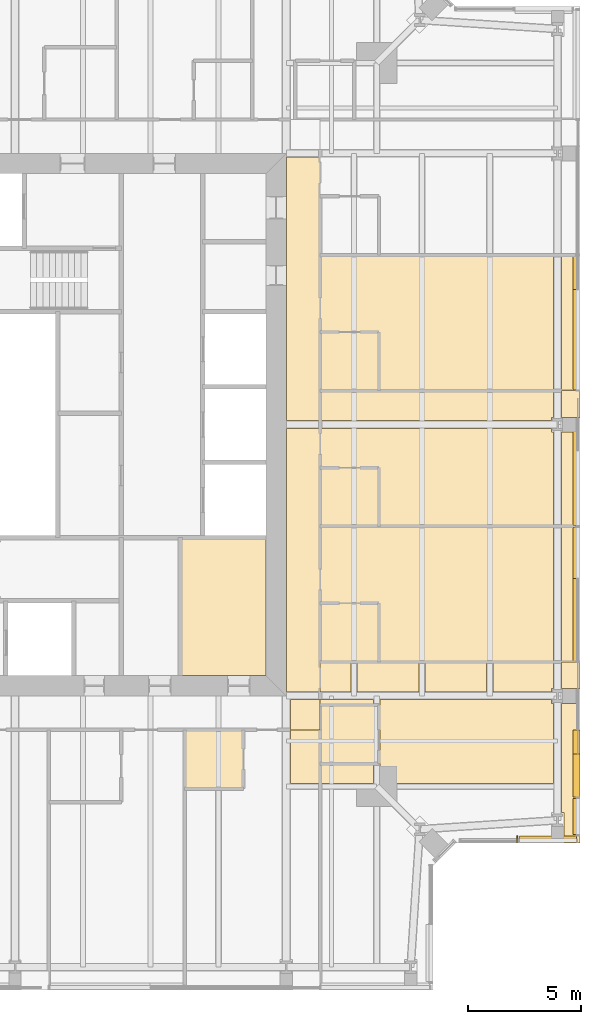
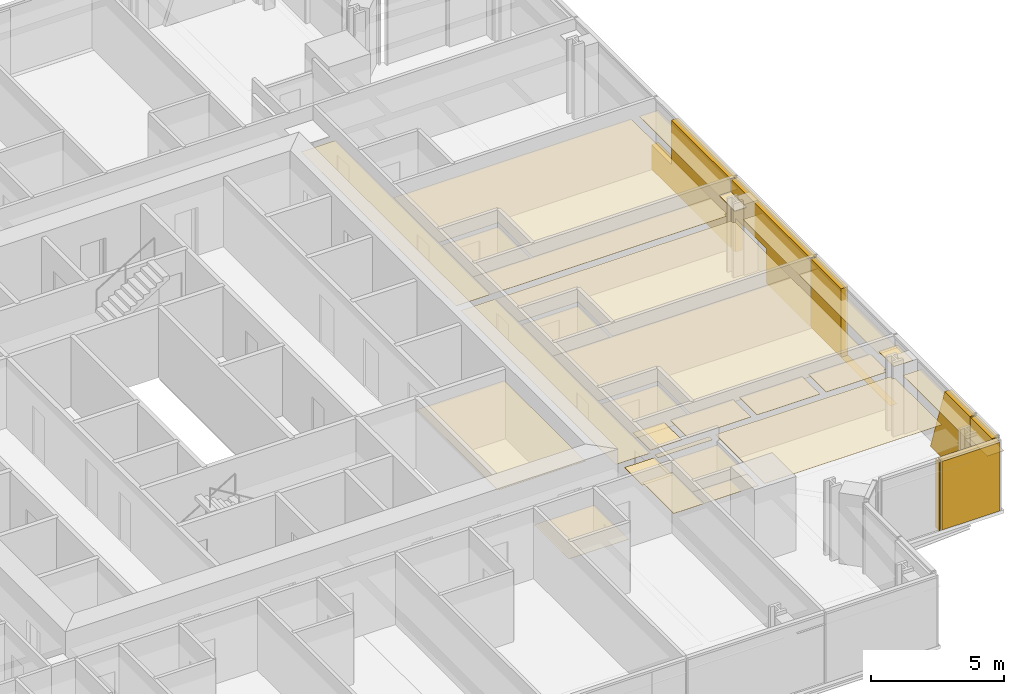
# One storey, part 18 of 20: 34 coverings.
"""IFC4 building model written with IfcOpenShell, lengths in metres."""

from ifc_helpers import new_model, si_unit, direction, frame, origin, place, context, subcontext, project, spatial, polyline, outline, extrude, material, layer, layer_set, type_object, element, save


model = new_model("IFC4")

# Units and contexts
model_context = context("Model", 3, precision=1e-05, world=origin(), true_north=direction((0.0, 1.0)))
body_context = subcontext(model_context, "Body", "Model", "MODEL_VIEW")
ifc_project = project(units=[si_unit("LENGTHUNIT", "METRE"), si_unit("AREAUNIT", "SQUARE_METRE"), si_unit("VOLUMEUNIT", "CUBIC_METRE"), si_unit("PLANEANGLEUNIT", "RADIAN"), si_unit("MASSUNIT", "GRAM", prefix="KILO")], contexts=[model_context])

# Site, building, storey
site_placement = place(None, origin())
site = spatial("IfcSite", under=ifc_project, at=site_placement, CompositionType="ELEMENT")
building_placement = place(site_placement, origin())
building = spatial("IfcBuilding", under=site, at=building_placement, Name="Fenwick Lantern Interchange", CompositionType="ELEMENT")
storey_placement = place(building_placement, frame((0.0, 0.0, 249.199951171875)))
storey = spatial("IfcBuildingStorey", under=building, at=storey_placement, Name="L58", CompositionType="ELEMENT", Elevation=249.199951171875)

# Coverings
ifc_material_1 = material(Name="Granite cladding, warm grey flamed finish, on aluminium carrier frame", Category="masonry")
ifc_layer_1 = layer(ifc_material_1, 0.300048828125)
ifc_layer_set_1 = layer_set([ifc_layer_1], Name="BRACE CASING PANEL 300")
covering_type_1 = type_object("IfcCoveringType", Name="BRACE CASING PANEL 300", PredefinedType="CLADDING", material=ifc_layer_set_1)
covering_1_placement = place(storey_placement, frame((44.45849609375, 6.60009765625, 0.0), z_axis=(0.0, 0.0, 1.0), x_axis=(1.0, 0.0, 0.0)))
element("IfcCovering", 1, at=covering_1_placement, inside=storey, type_object=covering_type_1, Name="Brace casing 04 bay 00a", PredefinedType="CLADDING", context=body_context, shape_type="SweptSolid", body=[
    extrude(outline(polyline([(2.741455078125, 0.0), (2.790771484375, 0.0), (2.790771484375, 3.150146484375), (2.741455078125, 3.150146484375), (2.741455078125, 0.0)])), frame((0.0, 0.2099609375, 0.0), z_axis=(0.0, -1.0, 0.0), x_axis=(1.0, 0.0, 0.0)), (0.0, 0.0, 1.0), 0.300048828125),
])
covering_2_placement = place(storey_placement, frame((44.45849609375, 6.60009765625, 0.0), z_axis=(0.0, 0.0, 1.0), x_axis=(1.0, 0.0, 0.0)))
element("IfcCovering", 2, at=covering_2_placement, inside=storey, type_object=covering_type_1, Name="Brace casing 04 bay 01a", PredefinedType="CLADDING", context=body_context, shape_type="SweptSolid", body=[
    extrude(outline(polyline([(2.850830078125, 0.0), (5.38134765625, 0.0), (5.38134765625, 3.150146484375), (2.850830078125, 3.150146484375), (2.850830078125, 0.0)])), frame((0.0, 0.2099609375, 0.0), z_axis=(0.0, -1.0, 0.0), x_axis=(1.0, 0.0, 0.0)), (0.0, 0.0, 1.0), 0.300048828125),
])
covering_3_placement = place(storey_placement, frame((49.89990234375, 6.60009765625, 0.0), z_axis=(0.0, 0.0, 1.0), x_axis=(0.0, 1.0, 0.0)))
element("IfcCovering", 3, at=covering_3_placement, inside=storey, type_object=covering_type_1, Name="Brace casing 05 bay 00a", PredefinedType="CLADDING", context=body_context, shape_type="SweptSolid", body=[
    extrude(outline(polyline([(0.260009765625, 0.0), (1.8701171875, 0.0), (1.8701171875, 3.150146484375), (0.260009765625, 3.150146484375), (0.260009765625, 0.0)])), frame((0.0, 0.2099609375, 0.0), z_axis=(0.0, -1.0, 0.0), x_axis=(1.0, 0.0, 0.0)), (0.0, 0.0, 1.0), 0.300048828125),
])
covering_4_placement = place(storey_placement, frame((49.89990234375, 6.60009765625, 0.0), z_axis=(0.0, 0.0, 1.0), x_axis=(0.0, 1.0, 0.0)))
element("IfcCovering", 4, at=covering_4_placement, inside=storey, type_object=covering_type_1, Name="Brace casing 05 bay 01a", PredefinedType="CLADDING", context=body_context, shape_type="SweptSolid", body=[
    extrude(outline(polyline([(1.929931640625, 0.0), (4.890869140625, 0.0), (3.827392578125, 3.150146484375), (1.929931640625, 3.150146484375), (1.929931640625, 0.0)])), frame((0.0, 0.2099609375, 0.0), z_axis=(0.0, -1.0, 0.0), x_axis=(1.0, 0.0, 0.0)), (0.0, 0.0, 1.0), 0.300048828125),
])
covering_5_placement = place(storey_placement, frame((49.89990234375, 6.60009765625, 0.0), z_axis=(0.0, 0.0, 1.0), x_axis=(0.0, 1.0, 0.0)))
element("IfcCovering", 5, at=covering_5_placement, inside=storey, type_object=covering_type_1, Name="Brace casing 05 bay 02a", PredefinedType="CLADDING", context=body_context, shape_type="SweptSolid", body=[
    extrude(outline(polyline([(7.929931640625, 0.0), (13.8701171875, 0.0), (13.8701171875, 3.150146484375), (11.60498046875, 3.150146484375), (11.60498046875, 0.00439453125), (7.929931640625, 0.00439453125), (7.929931640625, 0.0)])), frame((0.0, 0.2099609375, 0.0), z_axis=(0.0, -1.0, 0.0), x_axis=(1.0, 0.0, 0.0)), (0.0, 0.0, 1.0), 0.300048828125),
])
covering_6_placement = place(storey_placement, frame((49.89990234375, 6.60009765625, 0.0), z_axis=(0.0, 0.0, 1.0), x_axis=(0.0, 1.0, 0.0)))
element("IfcCovering", 6, at=covering_6_placement, inside=storey, type_object=covering_type_1, Name="Brace casing 05 bay 03a", PredefinedType="CLADDING", context=body_context, shape_type="SweptSolid", body=[
    extrude(outline(polyline([(13.929931640625, 0.0), (17.238037109375, 0.0), (17.238037109375, 1.580078125), (19.56298828125, 1.580078125), (19.56298828125, 0.0), (19.8701171875, 0.0), (19.8701171875, 3.150146484375), (13.929931640625, 3.150146484375), (13.929931640625, 0.0)])), frame((0.0, 0.2099609375, 0.0), z_axis=(0.0, -1.0, 0.0), x_axis=(1.0, 0.0, 0.0)), (0.0, 0.0, 1.0), 0.300048828125),
])
covering_7_placement = place(storey_placement, frame((49.89990234375, 6.60009765625, 0.0), z_axis=(0.0, 0.0, 1.0), x_axis=(0.0, 1.0, 0.0)))
element("IfcCovering", 7, at=covering_7_placement, inside=storey, type_object=covering_type_1, Name="Brace casing 05 bay 04a", PredefinedType="CLADDING", context=body_context, shape_type="SweptSolid", body=[
    extrude(outline(polyline([(19.929931640625, 0.0), (25.8701171875, 0.0), (25.8701171875, 1.120361328125), (24.372802734375, 1.120361328125), (24.372802734375, 3.150146484375), (19.929931640625, 3.150146484375), (19.929931640625, 0.0)])), frame((0.0, 0.2099609375, 0.0), z_axis=(0.0, -1.0, 0.0), x_axis=(1.0, 0.0, 0.0)), (0.0, 0.0, 1.0), 0.300048828125),
])
ifc_material_2 = material(Name="Moisture resistant gypsum board on suspended frame, painted")
ifc_layer_2 = layer(ifc_material_2, 0.014892578125)
ifc_layer_set_2 = layer_set([ifc_layer_2], Name="MOISTURE RESISTANT CEILING 15")
covering_type_2 = type_object("IfcCoveringType", Name="MOISTURE RESISTANT CEILING 15", PredefinedType="CEILING", material=ifc_layer_set_2)
covering_8_placement = place(storey_placement, frame((0.0, 0.0, 2.60009765625)))
element("IfcCovering", 8, at=covering_8_placement, inside=storey, type_object=covering_type_2, Name="Women's WC ceiling", PredefinedType="CEILING", context=body_context, shape_type="SweptSolid", body=[
    extrude(outline(polyline([(32.300048828125, 13.89990234375), (36.10009765625, 13.89990234375), (36.10009765625, 20.0), (32.300048828125, 20.0), (32.300048828125, 13.89990234375)])), origin(), (0.0, 0.0, 1.0), 0.014892578125),
])
covering_9_placement = place(storey_placement, frame((0.0, 0.0, 2.400146484375)))
element("IfcCovering", 9, at=covering_9_placement, inside=storey, type_object=covering_type_2, Name="En-suite 5805 ceiling", PredefinedType="CEILING", context=body_context, shape_type="SweptSolid", body=[
    extrude(outline(polyline([(32.5, 8.89990234375), (35.10009765625, 8.89990234375), (35.10009765625, 11.5), (32.5, 11.5), (32.5, 8.89990234375)])), origin(), (0.0, 0.0, 1.0), 0.014892578125),
])
covering_10_placement = place(storey_placement, frame((0.0, 0.0, 2.400146484375)))
element("IfcCovering", 10, at=covering_10_placement, inside=storey, type_object=covering_type_2, Name="En-suite 5806 ceiling", PredefinedType="CEILING", context=body_context, shape_type="SweptSolid", body=[
    extrude(outline(polyline([(41.10009765625, 10.0), (41.10009765625, 12.60009765625), (38.5, 12.60009765625), (38.5, 10.0), (41.10009765625, 10.0)])), origin(), (0.0, 0.0, 1.0), 0.014892578125),
])
covering_11_placement = place(storey_placement, frame((0.0, 0.0, 2.400146484375)))
element("IfcCovering", 11, at=covering_11_placement, inside=storey, type_object=covering_type_2, Name="En-suite 5807 ceiling", PredefinedType="CEILING", context=body_context, shape_type="SweptSolid", body=[
    extrude(outline(polyline([(41.10009765625, 14.5), (41.10009765625, 17.10009765625), (38.5, 17.10009765625), (38.5, 14.5), (41.10009765625, 14.5)])), origin(), (0.0, 0.0, 1.0), 0.014892578125),
])
covering_12_placement = place(storey_placement, frame((0.0, 0.0, 2.400146484375)))
element("IfcCovering", 12, at=covering_12_placement, inside=storey, type_object=covering_type_2, Name="En-suite 5808 ceiling", PredefinedType="CEILING", context=body_context, shape_type="SweptSolid", body=[
    extrude(outline(polyline([(41.10009765625, 20.5), (41.10009765625, 23.10009765625), (38.5, 23.10009765625), (38.5, 20.5), (41.10009765625, 20.5)])), origin(), (0.0, 0.0, 1.0), 0.014892578125),
])
covering_13_placement = place(storey_placement, frame((0.0, 0.0, 2.400146484375)))
element("IfcCovering", 13, at=covering_13_placement, inside=storey, type_object=covering_type_2, Name="En-suite 5809 ceiling", PredefinedType="CEILING", context=body_context, shape_type="SweptSolid", body=[
    extrude(outline(polyline([(41.10009765625, 26.5), (41.10009765625, 29.10009765625), (38.5, 29.10009765625), (38.5, 26.5), (41.10009765625, 26.5)])), origin(), (0.0, 0.0, 1.0), 0.014892578125),
])
ifc_material_3 = material(Name="Gypsum plasterboard on suspended frame, painted")
ifc_layer_3 = layer(ifc_material_3, 0.014892578125)
ifc_layer_set_3 = layer_set([ifc_layer_3], Name="PLASTERBOARD CEILING 15")
covering_type_3 = type_object("IfcCoveringType", Name="PLASTERBOARD CEILING 15", PredefinedType="CEILING", material=ifc_layer_set_3)
covering_14_placement = place(storey_placement, frame((0.0, 0.0, 2.572998046875)))
element("IfcCovering", 14, at=covering_14_placement, inside=storey, type_object=covering_type_3, Name="Corridor ceiling", PredefinedType="CEILING", context=body_context, shape_type="SweptSolid", body=[
    extrude(outline(polyline([(38.5, 25.175048828125), (38.5, 36.833984375), (37.0, 36.833984375), (37.0, 25.175048828125), (38.5, 25.175048828125)])), origin(), (0.0, 0.0, 1.0), 0.014892578125),
])
covering_15_placement = place(storey_placement, frame((0.0, 0.0, 2.572998046875)))
element("IfcCovering", 15, at=covering_15_placement, inside=storey, type_object=covering_type_3, Name="Corridor ceiling", PredefinedType="CEILING", context=body_context, shape_type="SweptSolid", body=[
    extrude(outline(polyline([(38.5, 13.166015625), (38.5, 24.824951171875), (37.0, 24.824951171875), (37.0, 13.166015625), (38.5, 13.166015625)])), origin(), (0.0, 0.0, 1.0), 0.014892578125),
])
covering_16_placement = place(storey_placement, frame((0.0, 0.0, 2.572998046875)))
element("IfcCovering", 16, at=covering_16_placement, inside=storey, type_object=covering_type_3, Name="Corridor ceiling", PredefinedType="CEILING", context=body_context, shape_type="SweptSolid", body=[
    extrude(outline(polyline([(38.5, 11.5), (38.5, 12.833984375), (37.183837890625, 12.833984375), (37.183837890625, 11.5), (38.5, 11.5)])), origin(), (0.0, 0.0, 1.0), 0.014892578125),
])
covering_17_placement = place(storey_placement, frame((0.0, 0.0, 2.699951171875)))
element("IfcCovering", 17, at=covering_17_placement, inside=storey, type_object=covering_type_3, Name="Guest room 5805 ceiling", PredefinedType="CEILING", context=body_context, shape_type="SweptSolid", body=[
    extrude(outline(polyline([(38.5, 11.5), (37.183837890625, 11.5), (37.183837890625, 9.134521484375), (38.5, 9.134521484375), (38.5, 11.5)])), origin(), (0.0, 0.0, 1.0), 0.01513671875),
])
covering_18_placement = place(storey_placement, frame((0.0, 0.0, 2.699951171875)))
element("IfcCovering", 18, at=covering_18_placement, inside=storey, type_object=covering_type_3, Name="Guest suite 5806 ceiling", PredefinedType="CEILING", context=body_context, shape_type="SweptSolid", body=[
    extrude(outline(polyline([(48.72265625, 12.66552734375), (48.72265625, 12.833984375), (41.134521484375, 12.833984375), (41.134521484375, 9.134521484375), (48.82763671875, 9.134521484375), (48.82763671875, 12.66552734375), (48.72265625, 12.66552734375)])), origin(), (0.0, 0.0, 1.0), 0.01513671875),
])
covering_19_placement = place(storey_placement, frame((0.0, 0.0, 2.699951171875)))
element("IfcCovering", 19, at=covering_19_placement, inside=storey, type_object=covering_type_3, Name="Guest suite 5806 ceiling", PredefinedType="CEILING", context=body_context, shape_type="SweptSolid", body=[
    extrude(outline(polyline([(50.0, 12.66552734375), (49.17236328125, 12.66552734375), (49.17236328125, 7.83447265625), (49.27734375, 7.83447265625), (49.27734375, 6.5), (50.0, 6.5), (50.0, 12.66552734375)])), origin(), (0.0, 0.0, 1.0), 0.01513671875),
])
covering_20_placement = place(storey_placement, frame((0.0, 0.0, 2.699951171875)))
element("IfcCovering", 20, at=covering_20_placement, inside=storey, type_object=covering_type_3, Name="Guest suite 5806 ceiling", PredefinedType="CEILING", context=body_context, shape_type="SweptSolid", body=[
    extrude(outline(polyline([(42.865478515625, 14.5), (40.134521484375, 14.5), (40.134521484375, 13.166015625), (42.865478515625, 13.166015625), (42.865478515625, 14.5)])), origin(), (0.0, 0.0, 1.0), 0.01513671875),
])
covering_21_placement = place(storey_placement, frame((0.0, 0.0, 2.699951171875)))
element("IfcCovering", 21, at=covering_21_placement, inside=storey, type_object=covering_type_3, Name="Guest suite 5806 ceiling", PredefinedType="CEILING", context=body_context, shape_type="SweptSolid", body=[
    extrude(outline(polyline([(45.865478515625, 14.5), (43.134521484375, 14.5), (43.134521484375, 13.166015625), (45.865478515625, 13.166015625), (45.865478515625, 14.5)])), origin(), (0.0, 0.0, 1.0), 0.01513671875),
])
covering_22_placement = place(storey_placement, frame((0.0, 0.0, 2.699951171875)))
element("IfcCovering", 22, at=covering_22_placement, inside=storey, type_object=covering_type_3, Name="Guest suite 5806 ceiling", PredefinedType="CEILING", context=body_context, shape_type="SweptSolid", body=[
    extrude(outline(polyline([(48.82763671875, 14.5), (46.134521484375, 14.5), (46.134521484375, 13.166015625), (48.72265625, 13.166015625), (48.72265625, 13.33447265625), (48.82763671875, 13.33447265625), (48.82763671875, 14.5)])), origin(), (0.0, 0.0, 1.0), 0.01513671875),
])
covering_23_placement = place(storey_placement, frame((0.0, 0.0, 2.699951171875)))
element("IfcCovering", 23, at=covering_23_placement, inside=storey, type_object=covering_type_3, Name="Guest suite 5806 ceiling", PredefinedType="CEILING", context=body_context, shape_type="SweptSolid", body=[
    extrude(outline(polyline([(38.5, 10.0), (38.5, 9.134521484375), (40.865478515625, 9.134521484375), (40.865478515625, 10.0), (38.5, 10.0)])), origin(), (0.0, 0.0, 1.0), 0.01513671875),
])
covering_24_placement = place(storey_placement, frame((0.0, 0.0, 2.699951171875)))
element("IfcCovering", 24, at=covering_24_placement, inside=storey, type_object=covering_type_3, Name="Guest suite 5806 ceiling", PredefinedType="CEILING", context=body_context, shape_type="SweptSolid", body=[
    extrude(outline(polyline([(38.5, 14.5), (38.5, 13.166015625), (39.865478515625, 13.166015625), (39.865478515625, 14.5), (38.5, 14.5)])), origin(), (0.0, 0.0, 1.0), 0.01513671875),
])
covering_25_placement = place(storey_placement, frame((0.0, 0.0, 2.699951171875)))
element("IfcCovering", 25, at=covering_25_placement, inside=storey, type_object=covering_type_3, Name="Guest suite 5806 ceiling", PredefinedType="CEILING", context=body_context, shape_type="SweptSolid", body=[
    extrude(outline(polyline([(50.0, 14.5), (49.17236328125, 14.5), (49.17236328125, 13.33447265625), (50.0, 13.33447265625), (50.0, 14.5)])), origin(), (0.0, 0.0, 1.0), 0.01513671875),
])
covering_26_placement = place(storey_placement, frame((0.0, 0.0, 2.699951171875)))
element("IfcCovering", 26, at=covering_26_placement, inside=storey, type_object=covering_type_3, Name="Guest suite 5806 ceiling", PredefinedType="CEILING", context=body_context, shape_type="SweptSolid", body=[
    extrude(outline(polyline([(38.5, 12.60009765625), (40.865478515625, 12.60009765625), (40.865478515625, 12.833984375), (38.5, 12.833984375), (38.5, 12.60009765625)])), origin(), (0.0, 0.0, 1.0), 0.01513671875),
])
covering_27_placement = place(storey_placement, frame((0.0, 0.0, 2.572998046875)))
element("IfcCovering", 27, at=covering_27_placement, inside=storey, type_object=covering_type_3, Name="Guest room 5807 ceiling", PredefinedType="CEILING", context=body_context, shape_type="SweptSolid", body=[
    extrude(outline(polyline([(48.82763671875, 20.5), (38.5, 20.5), (38.5, 17.10009765625), (41.10009765625, 17.10009765625), (41.10009765625, 14.5), (48.82763671875, 14.5), (48.82763671875, 20.5)])), origin(), (0.0, 0.0, 1.0), 0.014892578125),
])
covering_28_placement = place(storey_placement, frame((0.0, 0.0, 2.572998046875)))
element("IfcCovering", 28, at=covering_28_placement, inside=storey, type_object=covering_type_3, Name="Guest room 5807 ceiling", PredefinedType="CEILING", context=body_context, shape_type="SweptSolid", body=[
    extrude(outline(polyline([(50.0, 20.5), (49.17236328125, 20.5), (49.17236328125, 14.5), (50.0, 14.5), (50.0, 20.5)])), origin(), (0.0, 0.0, 1.0), 0.014892578125),
])
covering_29_placement = place(storey_placement, frame((0.0, 0.0, 2.572998046875)))
element("IfcCovering", 29, at=covering_29_placement, inside=storey, type_object=covering_type_3, Name="Guest room 5808 ceiling", PredefinedType="CEILING", context=body_context, shape_type="SweptSolid", body=[
    extrude(outline(polyline([(48.72900390625, 24.6845703125), (48.72900390625, 24.824951171875), (38.5, 24.824951171875), (38.5, 23.10009765625), (41.10009765625, 23.10009765625), (41.10009765625, 20.5), (48.82763671875, 20.5), (48.82763671875, 24.6845703125), (48.72900390625, 24.6845703125)])), origin(), (0.0, 0.0, 1.0), 0.014892578125),
])
covering_30_placement = place(storey_placement, frame((0.0, 0.0, 2.572998046875)))
element("IfcCovering", 30, at=covering_30_placement, inside=storey, type_object=covering_type_3, Name="Guest room 5808 ceiling", PredefinedType="CEILING", context=body_context, shape_type="SweptSolid", body=[
    extrude(outline(polyline([(48.72900390625, 25.3154296875), (48.82763671875, 25.3154296875), (48.82763671875, 26.5), (38.5, 26.5), (38.5, 25.175048828125), (48.72900390625, 25.175048828125), (48.72900390625, 25.3154296875)])), origin(), (0.0, 0.0, 1.0), 0.014892578125),
])
covering_31_placement = place(storey_placement, frame((0.0, 0.0, 2.572998046875)))
element("IfcCovering", 31, at=covering_31_placement, inside=storey, type_object=covering_type_3, Name="Guest room 5808 ceiling", PredefinedType="CEILING", context=body_context, shape_type="SweptSolid", body=[
    extrude(outline(polyline([(50.0, 24.6845703125), (49.17236328125, 24.6845703125), (49.17236328125, 20.5), (50.0, 20.5), (50.0, 24.6845703125)])), origin(), (0.0, 0.0, 1.0), 0.014892578125),
])
covering_32_placement = place(storey_placement, frame((0.0, 0.0, 2.572998046875)))
element("IfcCovering", 32, at=covering_32_placement, inside=storey, type_object=covering_type_3, Name="Guest room 5808 ceiling", PredefinedType="CEILING", context=body_context, shape_type="SweptSolid", body=[
    extrude(outline(polyline([(50.0, 25.3154296875), (50.0, 26.5), (49.17236328125, 26.5), (49.17236328125, 25.3154296875), (50.0, 25.3154296875)])), origin(), (0.0, 0.0, 1.0), 0.014892578125),
])
covering_33_placement = place(storey_placement, frame((0.0, 0.0, 2.572998046875)))
element("IfcCovering", 33, at=covering_33_placement, inside=storey, type_object=covering_type_3, Name="Guest room 5809 ceiling", PredefinedType="CEILING", context=body_context, shape_type="SweptSolid", body=[
    extrude(outline(polyline([(48.82763671875, 32.5), (38.5, 32.5), (38.5, 29.10009765625), (41.10009765625, 29.10009765625), (41.10009765625, 26.5), (48.82763671875, 26.5), (48.82763671875, 32.5)])), origin(), (0.0, 0.0, 1.0), 0.014892578125),
])
covering_34_placement = place(storey_placement, frame((0.0, 0.0, 2.572998046875)))
element("IfcCovering", 34, at=covering_34_placement, inside=storey, type_object=covering_type_3, Name="Guest room 5809 ceiling", PredefinedType="CEILING", context=body_context, shape_type="SweptSolid", body=[
    extrude(outline(polyline([(50.0, 32.5), (49.17236328125, 32.5), (49.17236328125, 26.5), (50.0, 26.5), (50.0, 32.5)])), origin(), (0.0, 0.0, 1.0), 0.014892578125),
])

save(model, "model.ifc")
